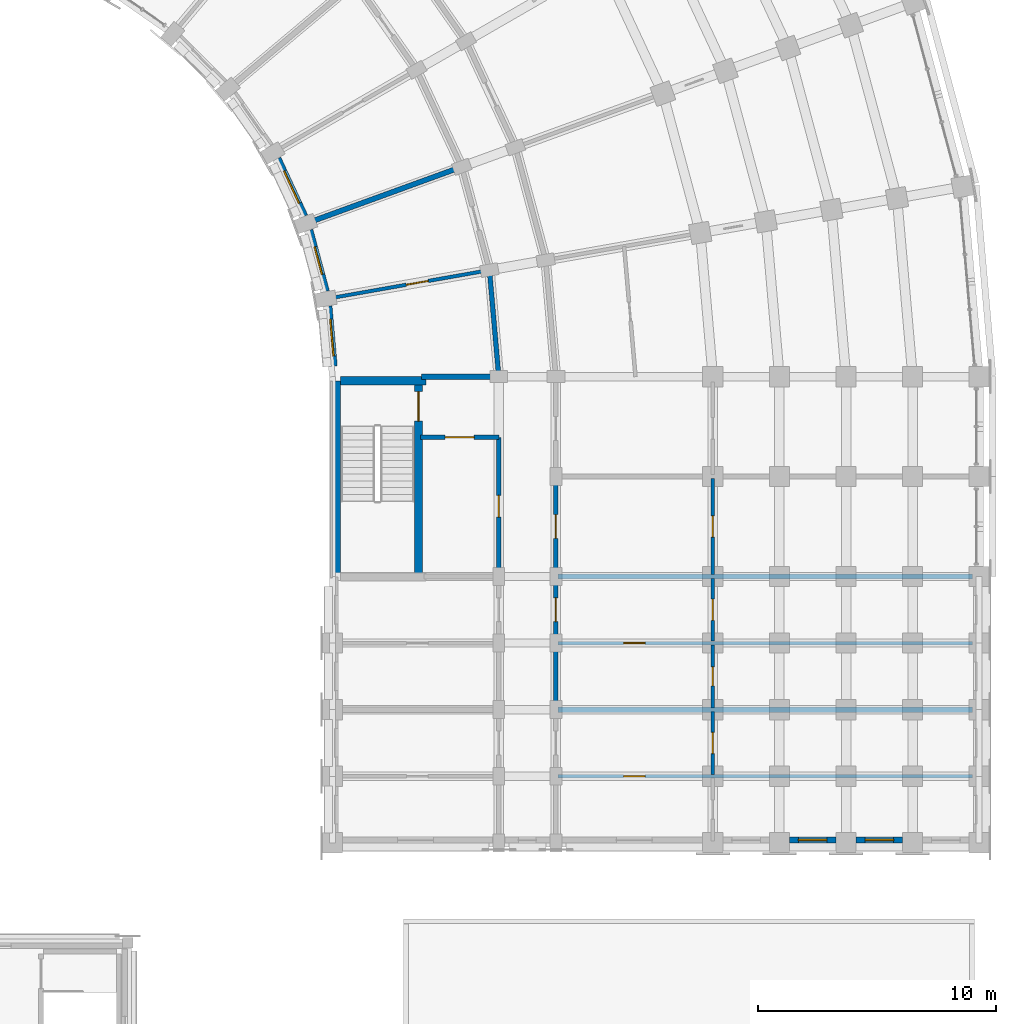
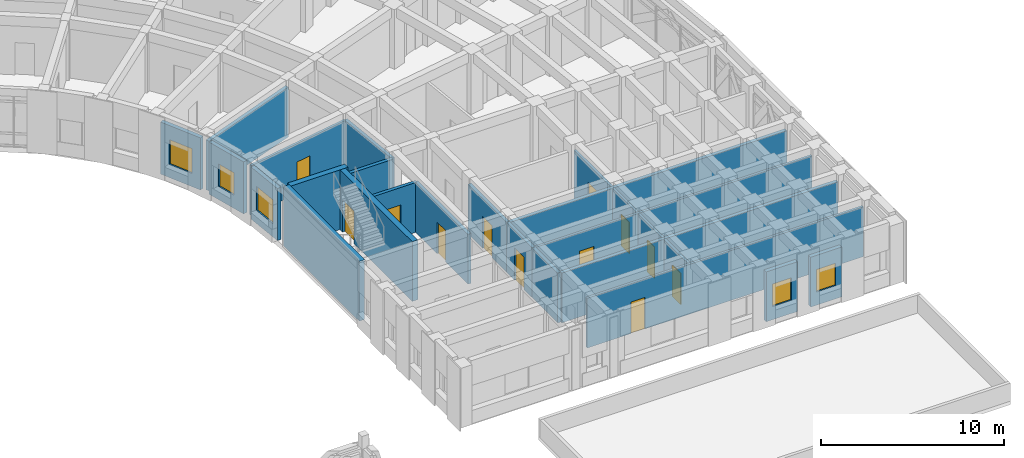
# One storey, part 76 of 97: 25 walls, 12 doors, 5 windows, 17 openings.
"""IFC4 building model written with IfcOpenShell, lengths in metres."""

import ifcopenshell
import ifcopenshell.guid

model = None  # the IFC model being written
_history = None  # IfcOwnerHistory: only IFC2X3 demands one
_inside = {}  # id of a spatial element -> (the spatial element, [elements in it])
_under = {}  # id of a project, library or spatial element -> (it, [spatial elements below it])
_declared = {}  # id of a project -> (the project, [libraries it declares])
_typed = {}  # id of a type object -> (the type object, [elements of that type])
_made_of = {}  # id of a material, layer set ... -> (it, [elements and type objects made of it])


def new_model(schema):
    """Start an empty IFC model of exactly this schema.

    Asked for "IFC4X3", IfcOpenShell would pick the latest addendum, in which some entities
    have other attributes; the version numbers below select the first issue.
    IFC2X3 requires an IfcOwnerHistory on every rooted entity: one is made here for all.
    """
    global model, _history
    if schema == "IFC4X3":
        model = ifcopenshell.file(schema_version=(4, 3, 0, 0))
    else:
        model = ifcopenshell.file(schema=schema)
    _inside.clear()
    _under.clear()
    _declared.clear()
    _typed.clear()
    _made_of.clear()
    _history = None
    if model.schema == "IFC2X3":
        org = make("IfcOrganization", Name="unknown")
        user = make(
            "IfcPersonAndOrganization",
            ThePerson=make("IfcPerson", FamilyName="unknown"),
            TheOrganization=org,
        )
        app = make(
            "IfcApplication",
            ApplicationDeveloper=org,
            Version="unknown",
            ApplicationFullName="unknown",
            ApplicationIdentifier="unknown",
        )
        _history = make(
            "IfcOwnerHistory",
            OwningUser=user,
            OwningApplication=app,
            ChangeAction="ADDED",
            CreationDate=0,
        )
    return model


def make(cls, **values):
    """One entity of the class cls with the attributes given. An attribute that is None is left unset."""
    return model.create_entity(
        cls, **{name: value for name, value in values.items() if value is not None}
    )


def rooted(cls, **values):
    """An entity with a GlobalId (a new one), such as an element, a storey or a relation."""
    return make(cls, GlobalId=ifcopenshell.guid.new(), OwnerHistory=_history, **values)


def si_unit(unit_type, name, prefix=None):
    """IfcSIUnit, for example si_unit("LENGTHUNIT", "METRE", prefix="MILLI")."""
    return make("IfcSIUnit", UnitType=unit_type, Prefix=prefix, Name=name)


def assignment(units):
    """IfcUnitAssignment: the units of a project."""
    return None if units is None else make("IfcUnitAssignment", Units=units)


def point(xyz):
    """IfcCartesianPoint."""
    return None if xyz is None else make("IfcCartesianPoint", Coordinates=xyz)


def direction(xyz):
    """IfcDirection."""
    return None if xyz is None else make("IfcDirection", DirectionRatios=xyz)


def frame(location, z_axis=None, x_axis=None):
    """IfcAxis2Placement3D, a coordinate frame: its origin and axes. An axis left out is left unset."""
    return make(
        "IfcAxis2Placement3D",
        Location=point(location),
        Axis=direction(z_axis),
        RefDirection=direction(x_axis),
    )


def frame_2d(location, x_axis=None):
    """IfcAxis2Placement2D, a coordinate frame in the plane: its origin and x axis."""
    return make(
        "IfcAxis2Placement2D", Location=point(location), RefDirection=direction(x_axis)
    )


def origin():
    """The frame at (0, 0, 0) with its axes left unset."""
    return frame((0.0, 0.0, 0.0))


def place(relative_to, where):
    """IfcLocalPlacement: puts the frame where relative to a parent placement (None: the world)."""
    return make(
        "IfcLocalPlacement", PlacementRelTo=relative_to, RelativePlacement=where
    )


def context(
    kind, dimensions, precision=None, world=None, true_north=None, identifier=None
):
    """IfcGeometricRepresentationContext, for example the 3D "Model" context."""
    return make(
        "IfcGeometricRepresentationContext",
        ContextIdentifier=identifier,
        ContextType=kind,
        CoordinateSpaceDimension=dimensions,
        Precision=precision,
        WorldCoordinateSystem=world,
        TrueNorth=true_north,
    )


def subcontext(parent, identifier, kind, view, scale=None):
    """IfcGeometricRepresentationSubContext, for example "Body" below "Model"."""
    return make(
        "IfcGeometricRepresentationSubContext",
        ContextIdentifier=identifier,
        ContextType=kind,
        ParentContext=parent,
        TargetScale=scale,
        TargetView=view,
    )


def project(units=None, contexts=None):
    """IfcProject with its units and contexts."""
    return rooted(
        "IfcProject",
        Name="project",
        RepresentationContexts=contexts,
        UnitsInContext=assignment(units),
    )


def spatial(cls, under=None, at=None, **own):
    """A site, building, storey or space (cls), placed at a placement, below another one or the project."""
    s = rooted(cls, ObjectPlacement=at, **own)
    if under is not None:
        _under.setdefault(under.id(), (under, []))[1].append(s)
    return s


def profile(cls, at=None, kind="AREA", **sizes):
    """A parametric profile (cls). Its sizes go by their IFC names, for example OverallWidth=200.0."""
    return make(cls, ProfileType=kind, Position=at, **sizes)


def rectangle(**sizes):
    """IfcRectangleProfileDef."""
    return profile("IfcRectangleProfileDef", **sizes)


def extrude(swept, where, along, depth):
    """IfcExtrudedAreaSolid: the profile swept, set in the frame where, extruded along a direction by depth."""
    return make(
        "IfcExtrudedAreaSolid",
        SweptArea=swept,
        Position=where,
        ExtrudedDirection=direction(along),
        Depth=depth,
    )


def shape(context_of_items, identifier, shape_type, items):
    """IfcShapeRepresentation: the items that make up one representation, for example the "Body"."""
    return make(
        "IfcShapeRepresentation",
        ContextOfItems=context_of_items,
        RepresentationIdentifier=identifier,
        RepresentationType=shape_type,
        Items=items,
    )


def material(Name=None, Category=None):
    """IfcMaterial."""
    return make("IfcMaterial", Name=Name, Category=Category)


def layer(
    of_material, thickness, ventilated=None, Name=None, Category=None, Priority=None
):
    """IfcMaterialLayer: one layer of a wall or slab, of a material (None: an air gap)."""
    return make(
        "IfcMaterialLayer",
        Material=of_material,
        LayerThickness=thickness,
        IsVentilated=ventilated,
        Name=Name,
        Category=Category,
        Priority=Priority,
    )


def layer_set(layers, Name=None):
    """IfcMaterialLayerSet."""
    return make("IfcMaterialLayerSet", MaterialLayers=layers, LayerSetName=Name)


def made_of(thing, what):
    """Note that an element or type object is made of a material, layer set ...; save() writes the relation."""
    if what is not None:
        _made_of.setdefault(what.id(), (what, []))[1].append(thing)
    return thing


def type_object(cls, material=None, **own):
    """A type object (cls), such as IfcWallType, which elements share."""
    return made_of(rooted(cls, **own), material)


def element(
    cls,
    number,
    at=None,
    inside=None,
    cuts=None,
    type_object=None,
    material=None,
    context=None,
    identifier="Body",
    shape_type=None,
    held_by="IfcProductDefinitionShape",
    body=None,
    shapes=None,
    **own,
):
    """One element of the class cls, such as IfcWall. Its Tag is "e" and its number.

    at: its placement. inside: the storey or other place that contains it. cuts: it is an
    opening in that element (IfcRelVoidsElement). A single representation is given by context,
    identifier, shape_type and body (its items); several are given by shapes. held_by: the class
    of the entity that holds the representations. save() writes the other relations.
    """
    e = rooted(cls, Tag="e%d" % number, ObjectPlacement=at, **own)
    if body is not None:
        shapes = [shape(context, identifier, shape_type, body)]
    if shapes is not None:
        e.Representation = make(held_by, Representations=shapes)
    if inside is not None:
        _inside.setdefault(inside.id(), (inside, []))[1].append(e)
    if cuts is not None:
        rooted(
            "IfcRelVoidsElement", RelatingBuildingElement=cuts, RelatedOpeningElement=e
        )
    if type_object is not None:
        _typed.setdefault(type_object.id(), (type_object, []))[1].append(e)
    return made_of(e, material)


def fill(opening, filler):
    """IfcRelFillsElement: the door or window that sits in an opening."""
    return rooted(
        "IfcRelFillsElement",
        RelatingOpeningElement=opening,
        RelatedBuildingElement=filler,
    )


def aggregate(whole, parts):
    """IfcRelAggregates: a whole, such as a stair, and the parts it consists of."""
    return rooted("IfcRelAggregates", RelatingObject=whole, RelatedObjects=parts)


def save(model, path):
    """Write the relations noted so far, then the file.

    IfcRelAggregates (storeys below a building ...), IfcRelContainedInSpatialStructure (elements
    in a storey), IfcRelDefinesByType, IfcRelAssociatesMaterial and IfcRelDeclares: one each for
    every whole, place, type object, material and project.
    """
    for whole, parts in _under.values():
        aggregate(whole, parts)
    for where, things in _inside.values():
        rooted(
            "IfcRelContainedInSpatialStructure",
            RelatedElements=things,
            RelatingStructure=where,
        )
    for kind, things in _typed.values():
        rooted("IfcRelDefinesByType", RelatedObjects=things, RelatingType=kind)
    for what, things in _made_of.values():
        rooted("IfcRelAssociatesMaterial", RelatedObjects=things, RelatingMaterial=what)
    for by, libraries in _declared.values():
        rooted("IfcRelDeclares", RelatingContext=by, RelatedDefinitions=libraries)
    model.write(path)


model = new_model("IFC4")

# Units and contexts
model_context = context("Model", 3, precision=1e-05, world=origin(), true_north=direction((0.0, 1.0)))
body_context = subcontext(model_context, "Body", "Model", "MODEL_VIEW")
ifc_project = project(units=[si_unit("LENGTHUNIT", "METRE"), si_unit("AREAUNIT", "SQUARE_METRE"), si_unit("VOLUMEUNIT", "CUBIC_METRE"), si_unit("PLANEANGLEUNIT", "RADIAN"), si_unit("MASSUNIT", "GRAM", prefix="KILO")], contexts=[model_context])

# Site, building, storey
site_placement = place(None, origin())
site = spatial("IfcSite", under=ifc_project, at=site_placement, CompositionType="ELEMENT")
building_placement = place(site_placement, origin())
building = spatial("IfcBuilding", under=site, at=building_placement, Name="Kiranvali Square Residences", CompositionType="ELEMENT")
storey_placement = place(building_placement, frame((0.0, 0.0, 4.5)))
storey = spatial("IfcBuildingStorey", under=building, at=storey_placement, Name="L01", CompositionType="ELEMENT", Elevation=4.5)

# Wall, opening, door
ifc_material_1 = material(Name="Autoclaved aerated concrete blockwork masonry", Category="masonry")
ifc_layer_1 = layer(ifc_material_1, 0.199951171875)
ifc_layer_set_1 = layer_set([ifc_layer_1], Name="Autoclaved aerated concrete blockwork masonry")
wall_type_1 = type_object("IfcWallType", Name="WL-COR-200", PredefinedType="STANDARD", material=ifc_layer_set_1)
wall_1_placement = place(storey_placement, frame((142.300048828125, 85.25, 0.0), z_axis=(0.0, 0.0, 1.0), x_axis=(1.0, 0.0, 0.0)))
wall_1 = element("IfcWall", 1, at=wall_1_placement, inside=storey, type_object=wall_type_1, Name="L01 architectural wall WL-L01-B-S3-V", PredefinedType="STANDARD", context=body_context, shape_type="SweptSolid", body=[
    extrude(rectangle(XDim=3.300048828125, YDim=0.199951171875, at=frame_2d((1.64990234375, 0.0))), origin(), (0.0, 0.0, 1.0), 3.322021484375),
])
opening_1_placement = place(wall_1_placement, frame((1.0400390625, 0.0, 0.0)))
opening_1 = element("IfcOpeningElement", 2, at=opening_1_placement, cuts=wall_1, Name="Opening FD-COR-60", PredefinedType="OPENING", context=body_context, shape_type="SweptSolid", body=[
    extrude(rectangle(XDim=1.219970703125, YDim=2.14990234375, at=frame_2d((0.60986328125, 1.074951171875))), frame((0.0, 0.10986328125, 0.0), z_axis=(0.0, -1.0, 0.0), x_axis=(1.0, 0.0, 0.0)), (0.0, 0.0, 1.0), 0.219970703125),
])
ifc_material_2 = material(Name="Fire-rated acoustic hardwood and mineral-core door assembly", Category="wood")
door_type_1 = type_object("IfcDoorType", Name="DR-FD60-1200", OperationType="NOTDEFINED", PredefinedType="DOOR", material=ifc_material_2)
door_1_placement = place(opening_1_placement, origin())
door_1 = element("IfcDoor", 3, at=door_1_placement, inside=storey, type_object=door_type_1, Name="L01 door DR-L01-1007 (DR-FD60-1200)", OperationType="SINGLE_SWING_LEFT", OverallHeight=2.14990234375, OverallWidth=1.219970703125, PredefinedType="DOOR", context=body_context, shape_type="SweptSolid", body=[
    extrude(rectangle(XDim=1.219970703125, YDim=2.14990234375, at=frame_2d((0.60986328125, 1.074951171875))), frame((0.0, 0.02490234375, 0.0), z_axis=(0.0, -1.0, 0.0), x_axis=(1.0, 0.0, 0.0)), (0.0, 0.0, 1.0), 0.050048828125),
])
fill(opening_1, door_1)

wall_2_placement = place(storey_placement, frame((145.60009765625, 85.25, 0.0), z_axis=(0.0, 0.0, 1.0), x_axis=(0.0, -1.0, 0.0)))
wall_2 = element("IfcWall", 4, at=wall_2_placement, inside=storey, type_object=wall_type_1, Name="L01 architectural wall WL-L01-B-S3-COR", PredefinedType="STANDARD", context=body_context, shape_type="SweptSolid", body=[
    extrude(rectangle(XDim=5.800048828125, YDim=0.199951171875, at=frame_2d((2.89990234375, 0.0))), origin(), (0.0, 0.0, 1.0), 3.322021484375),
])
opening_2_placement = place(wall_2_placement, frame((2.43994140625, 0.0, 0.0)))
opening_2 = element("IfcOpeningElement", 5, at=opening_2_placement, cuts=wall_2, Name="Opening FD-SVC-120", PredefinedType="OPENING", context=body_context, shape_type="SweptSolid", body=[
    extrude(rectangle(XDim=0.919921875, YDim=2.10009765625, at=frame_2d((0.4599609375, 1.050048828125))), frame((0.0, 0.10986328125, 0.0), z_axis=(0.0, -1.0, 0.0), x_axis=(1.0, 0.0, 0.0)), (0.0, 0.0, 1.0), 0.219970703125),
])
door_type_2 = type_object("IfcDoorType", Name="DR-SVC-900", OperationType="NOTDEFINED", PredefinedType="DOOR", material=ifc_material_2)
door_2_placement = place(opening_2_placement, frame((0.919921875, 0.0, 0.0), z_axis=(0.0, 0.0, 1.0), x_axis=(-1.0, 0.0, 0.0)))
door_2 = element("IfcDoor", 6, at=door_2_placement, inside=storey, type_object=door_type_2, Name="L01 door DR-L01-1008 (DR-SVC-900)", OperationType="SINGLE_SWING_RIGHT", OverallHeight=2.10009765625, OverallWidth=0.919921875, PredefinedType="DOOR", context=body_context, shape_type="SweptSolid", body=[
    extrude(rectangle(XDim=0.919921875, YDim=2.10009765625, at=frame_2d((0.4599609375, 1.050048828125))), frame((0.0, 0.02490234375, 0.0), z_axis=(0.0, -1.0, 0.0), x_axis=(1.0, 0.0, 0.0)), (0.0, 0.0, 1.0), 0.050048828125),
])
fill(opening_2, door_2)

# Wall
wall_3_placement = place(storey_placement, frame((145.2080078125, 92.280029296875, 0.0), z_axis=(0.0, 0.0, 1.0), x_axis=(0.087187153726, -0.996191949488, 0.0)))
element("IfcWall", 7, at=wall_3_placement, inside=storey, type_object=wall_type_1, Name="L01 architectural wall WL-L01-B-CCI-8", PredefinedType="STANDARD", context=body_context, shape_type="SweptSolid", body=[
    extrude(rectangle(XDim=4.4970703125, YDim=0.199951171875, at=frame_2d((2.24853515625, 0.0))), origin(), (0.0, 0.0, 1.0), 3.322021484375),
])

# Wall, opening, door
wall_4_placement = place(storey_placement, frame((148.0, 83.60009765625, 0.0), z_axis=(0.0, 0.0, 1.0), x_axis=(0.0, -1.0, 0.0)))
wall_4 = element("IfcWall", 8, at=wall_4_placement, inside=storey, type_object=wall_type_1, Name="L01 architectural wall WL-L01-B-A2CF-C1", PredefinedType="STANDARD", context=body_context, shape_type="SweptSolid", body=[
    extrude(rectangle(XDim=4.2001953125, YDim=0.199951171875, at=frame_2d((2.10009765625, 0.0))), origin(), (0.0, 0.0, 1.0), 3.322021484375),
])
opening_3_placement = place(wall_4_placement, frame((1.60009765625, 0.0, 0.0)))
opening_3 = element("IfcOpeningElement", 9, at=opening_3_placement, cuts=wall_4, Name="Opening FD-APT-60", PredefinedType="OPENING", context=body_context, shape_type="SweptSolid", body=[
    extrude(rectangle(XDim=1.0, YDim=2.14990234375, at=frame_2d((0.5, 1.074951171875))), frame((0.0, 0.10986328125, 0.0), z_axis=(0.0, -1.0, 0.0), x_axis=(1.0, 0.0, 0.0)), (0.0, 0.0, 1.0), 0.219970703125),
])
door_type_3 = type_object("IfcDoorType", Name="DR-APT-1000", OperationType="NOTDEFINED", PredefinedType="DOOR", material=ifc_material_2)
door_3_placement = place(opening_3_placement, origin())
door_3 = element("IfcDoor", 10, at=door_3_placement, inside=storey, type_object=door_type_3, Name="L01 door DR-L01-1049 (DR-APT-1000)", OperationType="SINGLE_SWING_LEFT", OverallHeight=2.14990234375, OverallWidth=1.0, PredefinedType="DOOR", context=body_context, shape_type="SweptSolid", body=[
    extrude(rectangle(XDim=1.0, YDim=2.14990234375, at=frame_2d((0.5, 1.074951171875))), frame((0.0, 0.02490234375, 0.0), z_axis=(0.0, -1.0, 0.0), x_axis=(1.0, 0.0, 0.0)), (0.0, 0.0, 1.0), 0.050048828125),
])
fill(opening_3, door_3)

wall_5_placement = place(storey_placement, frame((148.0, 79.39990234375, 0.0), z_axis=(0.0, 0.0, 1.0), x_axis=(0.0, -1.0, 0.0)))
wall_5 = element("IfcWall", 11, at=wall_5_placement, inside=storey, type_object=wall_type_1, Name="L01 architectural wall WL-L01-B-A2CO-0", PredefinedType="STANDARD", context=body_context, shape_type="SweptSolid", body=[
    extrude(rectangle(XDim=2.7998046875, YDim=0.199951171875, at=frame_2d((1.39990234375, 0.0))), origin(), (0.0, 0.0, 1.0), 3.322021484375),
])
opening_4_placement = place(wall_5_placement, frame((0.89990234375, 0.0, 0.0)))
opening_4 = element("IfcOpeningElement", 12, at=opening_4_placement, cuts=wall_5, Name="Opening FD-APT-60", PredefinedType="OPENING", context=body_context, shape_type="SweptSolid", body=[
    extrude(rectangle(XDim=1.0, YDim=2.14990234375, at=frame_2d((0.5, 1.074951171875))), frame((0.0, 0.10986328125, 0.0), z_axis=(0.0, -1.0, 0.0), x_axis=(1.0, 0.0, 0.0)), (0.0, 0.0, 1.0), 0.219970703125),
])
door_4_placement = place(opening_4_placement, origin())
door_4 = element("IfcDoor", 13, at=door_4_placement, inside=storey, type_object=door_type_3, Name="L01 door DR-L01-1053 (DR-APT-1000)", OperationType="SINGLE_SWING_LEFT", OverallHeight=2.14990234375, OverallWidth=1.0, PredefinedType="DOOR", context=body_context, shape_type="SweptSolid", body=[
    extrude(rectangle(XDim=1.0, YDim=2.14990234375, at=frame_2d((0.5, 1.074951171875))), frame((0.0, 0.02490234375, 0.0), z_axis=(0.0, -1.0, 0.0), x_axis=(1.0, 0.0, 0.0)), (0.0, 0.0, 1.0), 0.050048828125),
])
fill(opening_4, door_4)

# Walls
wall_6_placement = place(storey_placement, frame((148.0, 76.60009765625, 0.0), z_axis=(0.0, 0.0, 1.0), x_axis=(0.0, -1.0, 0.0)))
element("IfcWall", 14, at=wall_6_placement, inside=storey, type_object=wall_type_1, Name="L01 architectural wall WL-L01-B-A2CO-1", PredefinedType="STANDARD", context=body_context, shape_type="SweptSolid", body=[
    extrude(rectangle(XDim=2.800048828125, YDim=0.199951171875, at=frame_2d((1.39990234375, 0.0))), origin(), (0.0, 0.0, 1.0), 3.322021484375),
])
ifc_layer_2 = layer(ifc_material_1, 0.219970703125)
ifc_layer_set_2 = layer_set([ifc_layer_2], Name="Autoclaved aerated concrete blockwork masonry")
wall_type_2 = type_object("IfcWallType", Name="WL-DEM-220", PredefinedType="STANDARD", material=ifc_layer_set_2)
wall_7_placement = place(storey_placement, frame((137.654052734375, 94.29833984375, 0.0), z_axis=(0.0, 0.0, 1.0), x_axis=(0.939696231917, 0.342010221662, 0.0)))
element("IfcWall", 15, at=wall_7_placement, inside=storey, type_object=wall_type_2, Name="L01 architectural wall WL-L01-B-RADI-7", PredefinedType="STANDARD", context=body_context, shape_type="SweptSolid", body=[
    extrude(rectangle(XDim=6.75, YDim=0.219970703125, at=frame_2d((3.375, 0.0))), origin(), (0.0, 0.0, 1.0), 3.322021484375),
])
wall_8_placement = place(storey_placement, frame((142.35009765625, 87.800048828125, 0.0), z_axis=(0.0, 0.0, 1.0), x_axis=(1.0, 0.0, 0.0)))
element("IfcWall", 16, at=wall_8_placement, inside=storey, type_object=wall_type_2, Name="L01 architectural wall WL-L01-B-RADI-9", PredefinedType="STANDARD", context=body_context, shape_type="SweptSolid", body=[
    extrude(rectangle(XDim=3.199951171875, YDim=0.219970703125, at=frame_2d((1.60009765625, 0.0))), origin(), (0.0, 0.0, 1.0), 3.322021484375),
])
for number, where, z_axis, x_axis, name in (
    (17, (148.10009765625, 79.39990234375, 0.0), (0.0, 0.0, 1.0), (1.0, 0.0, 0.0), "L01 architectural wall WL-L01-B-A2TO-0"),
    (18, (148.10009765625, 73.800048828125, 0.0), (0.0, 0.0, 1.0), (1.0, 0.0, 0.0), "L01 architectural wall WL-L01-B-A2TO-2"),
):
    element("IfcWall", number, at=place(storey_placement, frame(where, z_axis=z_axis, x_axis=x_axis)), inside=storey, type_object=wall_type_2, Name=name, PredefinedType="STANDARD", context=body_context, shape_type="SweptSolid", body=[
        extrude(rectangle(XDim=17.419921875, YDim=0.219970703125, at=frame_2d((8.7099609375, 0.0))), origin(), (0.0, 0.0, 1.0), 3.322021484375),
    ])

# Wall, opening, window
ifc_material_3 = material(Name="Breathable lime-rendered clay brick masonry", Category="masonry")
ifc_layer_3 = layer(ifc_material_3, 0.25)
ifc_layer_set_3 = layer_set([ifc_layer_3], Name="Breathable lime-rendered clay brick masonry")
wall_type_3 = type_object("IfcWallType", Name="WL-EXT-250", PredefinedType="STANDARD", material=ifc_layer_set_3)
wall_9_placement = place(storey_placement, frame((136.322998046875, 96.9775390625, 0.0), z_axis=(0.0, 0.0, 1.0), x_axis=(0.422610081738, -0.90631160139, 0.0)))
wall_9 = element("IfcWall", 19, at=wall_9_placement, inside=storey, type_object=wall_type_3, Name="L01 exterior wall B-L01-GDN-06", PredefinedType="STANDARD", context=body_context, shape_type="SweptSolid", body=[
    extrude(rectangle(XDim=2.66943359375, YDim=0.25, at=frame_2d((1.334716796875, 0.0))), origin(), (0.0, 0.0, 1.0), 3.471923828125),
])
opening_5_placement = place(wall_9_placement, frame((0.584716796875, 0.0, 0.8798828125)))
opening_5 = element("IfcOpeningElement", 20, at=opening_5_placement, cuts=wall_9, Name="Opening W-05", PredefinedType="OPENING", context=body_context, shape_type="SweptSolid", body=[
    extrude(rectangle(XDim=1.5, YDim=1.64990234375, at=frame_2d((0.75, 0.824951171875))), frame((0.0, 0.135009765625, 0.0), z_axis=(0.0, -1.0, 0.0), x_axis=(1.0, 0.0, 0.0)), (0.0, 0.0, 1.0), 0.27001953125),
])
ifc_material_4 = material(Name="Solar-control low-e double glazing", Category="glass")
window_type_1 = type_object("IfcWindowType", Name="WIN-RES-1500x1650", PartitioningType="DOUBLE_PANEL_VERTICAL", PredefinedType="WINDOW", material=ifc_material_4)
window_1_placement = place(opening_5_placement, origin())
window_1 = element("IfcWindow", 21, at=window_1_placement, inside=storey, type_object=window_type_1, Name="L01 recessed window B-L01-GDN-06", OverallHeight=1.64990234375, OverallWidth=1.5, PartitioningType="DOUBLE_PANEL_VERTICAL", PredefinedType="WINDOW", context=body_context, shape_type="SweptSolid", body=[
    extrude(rectangle(XDim=1.5, YDim=1.64990234375, at=frame_2d((0.75, 0.824951171875))), frame((0.0, 0.030029296875, 0.0), z_axis=(0.0, -1.0, 0.0), x_axis=(1.0, 0.0, 0.0)), (0.0, 0.0, 1.0), 0.06005859375),
])
fill(opening_5, window_1)

wall_10_placement = place(storey_placement, frame((137.66552734375, 93.968994140625, 0.0), z_axis=(0.0, 0.0, 1.0), x_axis=(0.258812272661, -0.965927640934, 0.0)))
wall_10 = element("IfcWall", 22, at=wall_10_placement, inside=storey, type_object=wall_type_3, Name="L01 exterior wall B-L01-GDN-07", PredefinedType="STANDARD", context=body_context, shape_type="SweptSolid", body=[
    extrude(rectangle(XDim=2.669677734375, YDim=0.25, at=frame_2d((1.3349609375, 0.0))), origin(), (0.0, 0.0, 1.0), 3.471923828125),
])
opening_6_placement = place(wall_10_placement, frame((0.73486328125, 0.0, 0.8798828125)))
opening_6 = element("IfcOpeningElement", 23, at=opening_6_placement, cuts=wall_10, Name="Opening W-06", PredefinedType="OPENING", context=body_context, shape_type="SweptSolid", body=[
    extrude(rectangle(XDim=1.199951171875, YDim=1.5, at=frame_2d((0.60009765625, 0.75))), frame((0.0, 0.135009765625, 0.0), z_axis=(0.0, -1.0, 0.0), x_axis=(1.0, 0.0, 0.0)), (0.0, 0.0, 1.0), 0.27001953125),
])
window_type_2 = type_object("IfcWindowType", Name="WIN-RES-1200x1500", PartitioningType="SINGLE_PANEL", PredefinedType="WINDOW", material=ifc_material_4)
window_2_placement = place(opening_6_placement, origin())
window_2 = element("IfcWindow", 24, at=window_2_placement, inside=storey, type_object=window_type_2, Name="L01 recessed window B-L01-GDN-07", OverallHeight=1.5, OverallWidth=1.199951171875, PartitioningType="SINGLE_PANEL", PredefinedType="WINDOW", context=body_context, shape_type="SweptSolid", body=[
    extrude(rectangle(XDim=1.199951171875, YDim=1.5, at=frame_2d((0.60009765625, 0.75))), frame((0.0, 0.030029296875, 0.0), z_axis=(0.0, -1.0, 0.0), x_axis=(1.0, 0.0, 0.0)), (0.0, 0.0, 1.0), 0.06005859375),
])
fill(opening_6, window_2)

wall_11_placement = place(storey_placement, frame((138.46533203125, 90.77294921875, 0.0), z_axis=(0.0, 0.0, 1.0), x_axis=(0.087215965161, -0.996189427479, 0.0)))
wall_11 = element("IfcWall", 25, at=wall_11_placement, inside=storey, type_object=wall_type_3, Name="L01 exterior wall B-L01-GDN-08", PredefinedType="STANDARD", context=body_context, shape_type="SweptSolid", body=[
    extrude(rectangle(XDim=2.533447265625, YDim=0.25, at=frame_2d((1.2666015625, 0.0))), origin(), (0.0, 0.0, 1.0), 3.471923828125),
])
opening_7_placement = place(wall_11_placement, frame((0.559814453125, 0.0, 0.8798828125)))
opening_7 = element("IfcOpeningElement", 26, at=opening_7_placement, cuts=wall_11, Name="Opening W-18", PredefinedType="OPENING", context=body_context, shape_type="SweptSolid", body=[
    extrude(rectangle(XDim=1.550048828125, YDim=1.60009765625, at=frame_2d((0.77490234375, 0.800048828125))), frame((0.0, 0.135009765625, 0.0), z_axis=(0.0, -1.0, 0.0), x_axis=(1.0, 0.0, 0.0)), (0.0, 0.0, 1.0), 0.27001953125),
])
window_type_3 = type_object("IfcWindowType", Name="WIN-GDN-1550x1600", PartitioningType="DOUBLE_PANEL_VERTICAL", PredefinedType="WINDOW", material=ifc_material_4)
window_3_placement = place(opening_7_placement, origin())
window_3 = element("IfcWindow", 27, at=window_3_placement, inside=storey, type_object=window_type_3, Name="L01 recessed window B-L01-GDN-08", OverallHeight=1.60009765625, OverallWidth=1.550048828125, PartitioningType="DOUBLE_PANEL_VERTICAL", PredefinedType="WINDOW", context=body_context, shape_type="SweptSolid", body=[
    extrude(rectangle(XDim=1.550048828125, YDim=1.60009765625, at=frame_2d((0.77490234375, 0.800048828125))), frame((0.0, 0.030029296875, 0.0), z_axis=(0.0, -1.0, 0.0), x_axis=(1.0, 0.0, 0.0)), (0.0, 0.0, 1.0), 0.06005859375),
])
fill(opening_7, window_3)

wall_12_placement = place(storey_placement, frame((157.820068359375, 68.324951171875, 0.0), z_axis=(0.0, 0.0, 1.0), x_axis=(1.0, 0.0, 0.0)))
wall_12 = element("IfcWall", 28, at=wall_12_placement, inside=storey, type_object=wall_type_3, Name="L01 exterior wall B-L01-A2END-4", PredefinedType="STANDARD", context=body_context, shape_type="SweptSolid", body=[
    extrude(rectangle(XDim=1.9599609375, YDim=0.25, at=frame_2d((0.97998046875, 0.0))), origin(), (0.0, 0.0, 1.0), 3.322021484375),
])
opening_8_placement = place(wall_12_placement, frame((0.3798828125, 0.0, 0.8798828125)))
opening_8 = element("IfcOpeningElement", 29, at=opening_8_placement, cuts=wall_12, Name="Opening W-06", PredefinedType="OPENING", context=body_context, shape_type="SweptSolid", body=[
    extrude(rectangle(XDim=1.199951171875, YDim=1.5, at=frame_2d((0.60009765625, 0.75))), frame((0.0, 0.135009765625, 0.0), z_axis=(0.0, -1.0, 0.0), x_axis=(1.0, 0.0, 0.0)), (0.0, 0.0, 1.0), 0.27001953125),
])
window_4_placement = place(opening_8_placement, origin())
window_4 = element("IfcWindow", 30, at=window_4_placement, inside=storey, type_object=window_type_2, Name="L01 recessed window B-L01-A2END-4", OverallHeight=1.5, OverallWidth=1.199951171875, PartitioningType="SINGLE_PANEL", PredefinedType="WINDOW", context=body_context, shape_type="SweptSolid", body=[
    extrude(rectangle(XDim=1.199951171875, YDim=1.5, at=frame_2d((0.60009765625, 0.75))), frame((0.0, 0.030029296875, 0.0), z_axis=(0.0, -1.0, 0.0), x_axis=(1.0, 0.0, 0.0)), (0.0, 0.0, 1.0), 0.06005859375),
])
fill(opening_8, window_4)

wall_13_placement = place(storey_placement, frame((160.6201171875, 68.324951171875, 0.0), z_axis=(0.0, 0.0, 1.0), x_axis=(1.0, 0.0, 0.0)))
wall_13 = element("IfcWall", 31, at=wall_13_placement, inside=storey, type_object=wall_type_3, Name="L01 exterior wall B-L01-A2END-5", PredefinedType="STANDARD", context=body_context, shape_type="SweptSolid", body=[
    extrude(rectangle(XDim=1.9599609375, YDim=0.25, at=frame_2d((0.97998046875, 0.0))), origin(), (0.0, 0.0, 1.0), 3.322021484375),
])
opening_9_placement = place(wall_13_placement, frame((0.3798828125, 0.0, 0.8798828125)))
opening_9 = element("IfcOpeningElement", 32, at=opening_9_placement, cuts=wall_13, Name="Opening W-06", PredefinedType="OPENING", context=body_context, shape_type="SweptSolid", body=[
    extrude(rectangle(XDim=1.199951171875, YDim=1.5, at=frame_2d((0.60009765625, 0.75))), frame((0.0, 0.135009765625, 0.0), z_axis=(0.0, -1.0, 0.0), x_axis=(1.0, 0.0, 0.0)), (0.0, 0.0, 1.0), 0.27001953125),
])
window_5_placement = place(opening_9_placement, origin())
window_5 = element("IfcWindow", 33, at=window_5_placement, inside=storey, type_object=window_type_2, Name="L01 recessed window B-L01-A2END-5", OverallHeight=1.5, OverallWidth=1.199951171875, PartitioningType="SINGLE_PANEL", PredefinedType="WINDOW", context=body_context, shape_type="SweptSolid", body=[
    extrude(rectangle(XDim=1.199951171875, YDim=1.5, at=frame_2d((0.60009765625, 0.75))), frame((0.0, 0.030029296875, 0.0), z_axis=(0.0, -1.0, 0.0), x_axis=(1.0, 0.0, 0.0)), (0.0, 0.0, 1.0), 0.06005859375),
])
fill(opening_9, window_5)

# Wall, opening, door
ifc_material_5 = material(Name="Acoustic gypsum board drylined partition", Category="gypsum")
ifc_layer_4 = layer(ifc_material_5, 0.14990234375)
ifc_layer_set_4 = layer_set([ifc_layer_4], Name="Acoustic gypsum board drylined partition")
wall_type_4 = type_object("IfcWallType", Name="WL-PRT-150", PredefinedType="PARTITIONING", material=ifc_layer_set_4)
wall_14_placement = place(storey_placement, frame((138.51123046875, 91.099365234375, 0.0), z_axis=(0.0, 0.0, 1.0), x_axis=(0.984807944945, 0.173647089161, 0.0)))
wall_14 = element("IfcWall", 34, at=wall_14_placement, inside=storey, type_object=wall_type_4, Name="L01 architectural wall WL-L01-B-RADI-8", PredefinedType="PARTITIONING", context=body_context, shape_type="SweptSolid", body=[
    extrude(rectangle(XDim=6.75, YDim=0.14990234375, at=frame_2d((3.375, 0.0))), origin(), (0.0, 0.0, 1.0), 3.322021484375),
])
opening_10_placement = place(wall_14_placement, frame((3.242431640625, 0.0, 0.0)))
opening_10 = element("IfcOpeningElement", 35, at=opening_10_placement, cuts=wall_14, Name="Opening ID-2", PredefinedType="OPENING", context=body_context, shape_type="SweptSolid", body=[
    extrude(rectangle(XDim=0.93994140625, YDim=2.10009765625, at=frame_2d((0.469970703125, 1.050048828125))), frame((0.0, 0.0849609375, 0.0), z_axis=(0.0, -1.0, 0.0), x_axis=(1.0, 0.0, 0.0)), (0.0, 0.0, 1.0), 0.169921875),
])
ifc_material_6 = material(Name="Solid seasoned teak hardwood joinery", Category="wood")
door_type_4 = type_object("IfcDoorType", Name="DR-INT-940", OperationType="NOTDEFINED", PredefinedType="DOOR", material=ifc_material_6)
door_5_placement = place(opening_10_placement, frame((0.93994140625, 0.0, 0.0), z_axis=(0.0, 0.0, 1.0), x_axis=(-1.0, 0.0, 0.0)))
door_5 = element("IfcDoor", 36, at=door_5_placement, inside=storey, type_object=door_type_4, Name="L01 door DR-L01-1034 (DR-INT-940)", OperationType="SINGLE_SWING_RIGHT", OverallHeight=2.10009765625, OverallWidth=0.93994140625, PredefinedType="DOOR", context=body_context, shape_type="SweptSolid", body=[
    extrude(rectangle(XDim=0.93994140625, YDim=2.10009765625, at=frame_2d((0.469970703125, 1.050048828125))), frame((0.0, 0.02490234375, 0.0), z_axis=(0.0, -1.0, 0.0), x_axis=(1.0, 0.0, 0.0)), (0.0, 0.0, 1.0), 0.050048828125),
])
fill(opening_10, door_5)

wall_15_placement = place(storey_placement, frame((154.60009765625, 83.52001953125, 0.0), z_axis=(0.0, 0.0, 1.0), x_axis=(0.0, -1.0, 0.0)))
wall_15 = element("IfcWall", 37, at=wall_15_placement, inside=storey, type_object=wall_type_4, Name="L01 architectural wall WL-L01-B-A2CF-SP1", PredefinedType="PARTITIONING", context=body_context, shape_type="SweptSolid", body=[
    extrude(rectangle(XDim=4.0400390625, YDim=0.14990234375, at=frame_2d((2.02001953125, 0.0))), origin(), (0.0, 0.0, 1.0), 3.322021484375),
])
opening_11_placement = place(wall_15_placement, frame((1.570068359375, 0.0, 0.0)))
opening_11 = element("IfcOpeningElement", 38, at=opening_11_placement, cuts=wall_15, Name="Opening ID-1", PredefinedType="OPENING", context=body_context, shape_type="SweptSolid", body=[
    extrude(rectangle(XDim=0.89990234375, YDim=2.10009765625, at=frame_2d((0.449951171875, 1.050048828125))), frame((0.0, 0.0849609375, 0.0), z_axis=(0.0, -1.0, 0.0), x_axis=(1.0, 0.0, 0.0)), (0.0, 0.0, 1.0), 0.169921875),
])
door_type_5 = type_object("IfcDoorType", Name="DR-INT-900", OperationType="NOTDEFINED", PredefinedType="DOOR", material=ifc_material_6)
door_6_placement = place(opening_11_placement, frame((0.89990234375, 0.0, 0.0), z_axis=(0.0, 0.0, 1.0), x_axis=(-1.0, 0.0, 0.0)))
door_6 = element("IfcDoor", 39, at=door_6_placement, inside=storey, type_object=door_type_5, Name="L01 door DR-L01-1050 (DR-INT-900)", OperationType="SINGLE_SWING_RIGHT", OverallHeight=2.10009765625, OverallWidth=0.89990234375, PredefinedType="DOOR", context=body_context, shape_type="SweptSolid", body=[
    extrude(rectangle(XDim=0.89990234375, YDim=2.10009765625, at=frame_2d((0.449951171875, 1.050048828125))), frame((0.0, 0.02490234375, 0.0), z_axis=(0.0, -1.0, 0.0), x_axis=(1.0, 0.0, 0.0)), (0.0, 0.0, 1.0), 0.050048828125),
])
fill(opening_11, door_6)

wall_16_placement = place(storey_placement, frame((148.10009765625, 76.60009765625, 0.0), z_axis=(0.0, 0.0, 1.0), x_axis=(1.0, 0.0, 0.0)))
wall_16 = element("IfcWall", 40, at=wall_16_placement, inside=storey, type_object=wall_type_4, Name="L01 architectural wall WL-L01-B-A2TO-1", PredefinedType="PARTITIONING", context=body_context, shape_type="SweptSolid", body=[
    extrude(rectangle(XDim=17.419921875, YDim=0.14990234375, at=frame_2d((8.7099609375, 0.0))), origin(), (0.0, 0.0, 1.0), 3.322021484375),
])
opening_12_placement = place(wall_16_placement, frame((2.75, 0.0, 0.0)))
opening_12 = element("IfcOpeningElement", 41, at=opening_12_placement, cuts=wall_16, Name="Opening ID-1", PredefinedType="OPENING", context=body_context, shape_type="SweptSolid", body=[
    extrude(rectangle(XDim=0.89990234375, YDim=2.10009765625, at=frame_2d((0.449951171875, 1.050048828125))), frame((0.0, 0.0849609375, 0.0), z_axis=(0.0, -1.0, 0.0), x_axis=(1.0, 0.0, 0.0)), (0.0, 0.0, 1.0), 0.169921875),
])
door_7_placement = place(opening_12_placement, frame((0.89990234375, 0.0, 0.0), z_axis=(0.0, 0.0, 1.0), x_axis=(-1.0, 0.0, 0.0)))
door_7 = element("IfcDoor", 42, at=door_7_placement, inside=storey, type_object=door_type_5, Name="L01 door DR-L01-1056 (DR-INT-900)", OperationType="SINGLE_SWING_RIGHT", OverallHeight=2.10009765625, OverallWidth=0.89990234375, PredefinedType="DOOR", context=body_context, shape_type="SweptSolid", body=[
    extrude(rectangle(XDim=0.89990234375, YDim=2.10009765625, at=frame_2d((0.449951171875, 1.050048828125))), frame((0.0, 0.02490234375, 0.0), z_axis=(0.0, -1.0, 0.0), x_axis=(1.0, 0.0, 0.0)), (0.0, 0.0, 1.0), 0.050048828125),
])
fill(opening_12, door_7)

wall_17_placement = place(storey_placement, frame((148.10009765625, 71.0, 0.0), z_axis=(0.0, 0.0, 1.0), x_axis=(1.0, 0.0, 0.0)))
wall_17 = element("IfcWall", 43, at=wall_17_placement, inside=storey, type_object=wall_type_4, Name="L01 architectural wall WL-L01-B-A2TO-3", PredefinedType="PARTITIONING", context=body_context, shape_type="SweptSolid", body=[
    extrude(rectangle(XDim=17.419921875, YDim=0.14990234375, at=frame_2d((8.7099609375, 0.0))), origin(), (0.0, 0.0, 1.0), 3.322021484375),
])
opening_13_placement = place(wall_17_placement, frame((2.75, 0.0, 0.0)))
opening_13 = element("IfcOpeningElement", 44, at=opening_13_placement, cuts=wall_17, Name="Opening ID-1", PredefinedType="OPENING", context=body_context, shape_type="SweptSolid", body=[
    extrude(rectangle(XDim=0.89990234375, YDim=2.10009765625, at=frame_2d((0.449951171875, 1.050048828125))), frame((0.0, 0.0849609375, 0.0), z_axis=(0.0, -1.0, 0.0), x_axis=(1.0, 0.0, 0.0)), (0.0, 0.0, 1.0), 0.169921875),
])
door_8_placement = place(opening_13_placement, frame((0.89990234375, 0.0, 0.0), z_axis=(0.0, 0.0, 1.0), x_axis=(-1.0, 0.0, 0.0)))
door_8 = element("IfcDoor", 45, at=door_8_placement, inside=storey, type_object=door_type_5, Name="L01 door DR-L01-1062 (DR-INT-900)", OperationType="SINGLE_SWING_RIGHT", OverallHeight=2.10009765625, OverallWidth=0.89990234375, PredefinedType="DOOR", context=body_context, shape_type="SweptSolid", body=[
    extrude(rectangle(XDim=0.89990234375, YDim=2.10009765625, at=frame_2d((0.449951171875, 1.050048828125))), frame((0.0, 0.02490234375, 0.0), z_axis=(0.0, -1.0, 0.0), x_axis=(1.0, 0.0, 0.0)), (0.0, 0.0, 1.0), 0.050048828125),
])
fill(opening_13, door_8)

# Wall
ifc_material_7 = material(Name="Concrete M50 (50 MPa)", Category="concrete")
ifc_layer_5 = layer(ifc_material_7, 0.35009765625)
ifc_layer_set_5 = layer_set([ifc_layer_5], Name="Concrete M50 (50 MPa)")
wall_type_5 = type_object("IfcWallType", Name="WL-SHR-350", PredefinedType="SHEAR", material=ifc_layer_set_5)
wall_18_placement = place(storey_placement, frame((138.77490234375, 87.625, 0.0), z_axis=(0.0, 0.0, 1.0), x_axis=(0.0, -1.0, 0.0)))
element("IfcWall", 46, at=wall_18_placement, inside=storey, type_object=wall_type_5, Name="Block B core shear wall SW-B3-OUT-L01", PredefinedType="SHEAR", context=body_context, shape_type="SweptSolid", body=[
    extrude(rectangle(XDim=8.25, YDim=0.35009765625, at=frame_2d((4.125, 0.0))), origin(), (0.0, 0.0, 1.0), 3.97998046875),
])

# Wall, opening, door
wall_19_placement = place(storey_placement, frame((142.22509765625, 87.449951171875, 0.0), z_axis=(0.0, 0.0, 1.0), x_axis=(0.0, -1.0, 0.0)))
wall_19 = element("IfcWall", 47, at=wall_19_placement, inside=storey, type_object=wall_type_5, Name="Block B core shear wall SW-B3-IN-L01", PredefinedType="SHEAR", context=body_context, shape_type="SweptSolid", body=[
    extrude(rectangle(XDim=7.89990234375, YDim=0.35009765625, at=frame_2d((3.949951171875, 0.0))), origin(), (0.0, 0.0, 1.0), 3.97998046875),
])
opening_14_placement = place(wall_19_placement, frame((0.280029296875, 0.0, 0.0)))
opening_14 = element("IfcOpeningElement", 48, at=opening_14_placement, cuts=wall_19, Name="Opening FD-ST-120", PredefinedType="OPENING", context=body_context, shape_type="SweptSolid", body=[
    extrude(rectangle(XDim=1.239990234375, YDim=2.14990234375, at=frame_2d((0.6201171875, 1.074951171875))), frame((0.0, 0.18505859375, 0.0), z_axis=(0.0, -1.0, 0.0), x_axis=(1.0, 0.0, 0.0)), (0.0, 0.0, 1.0), 0.3701171875),
])
door_type_6 = type_object("IfcDoorType", Name="DR-FD120-1200", OperationType="NOTDEFINED", PredefinedType="DOOR", material=ifc_material_2)
door_9_placement = place(opening_14_placement, frame((1.239990234375, 0.0, 0.0), z_axis=(0.0, 0.0, 1.0), x_axis=(-1.0, 0.0, 0.0)))
door_9 = element("IfcDoor", 49, at=door_9_placement, inside=storey, type_object=door_type_6, Name="L01 door DR-L01-1003 (DR-FD120-1200)", OperationType="SINGLE_SWING_LEFT", OverallHeight=2.14990234375, OverallWidth=1.239990234375, PredefinedType="DOOR", context=body_context, shape_type="SweptSolid", body=[
    extrude(rectangle(XDim=1.239990234375, YDim=2.14990234375, at=frame_2d((0.6201171875, 1.074951171875))), frame((0.0, 0.02490234375, 0.0), z_axis=(0.0, -1.0, 0.0), x_axis=(1.0, 0.0, 0.0)), (0.0, 0.0, 1.0), 0.050048828125),
])
fill(opening_14, door_9)

# Wall
wall_20_placement = place(storey_placement, frame((138.949951171875, 87.625, 0.0), z_axis=(0.0, 0.0, 1.0), x_axis=(1.0, 0.0, 0.0)))
element("IfcWall", 50, at=wall_20_placement, inside=storey, type_object=wall_type_5, Name="Block B core shear wall SW-B3-NEAR-L01", PredefinedType="SHEAR", context=body_context, shape_type="SweptSolid", body=[
    extrude(rectangle(XDim=3.60009765625, YDim=0.35009765625, at=frame_2d((1.800048828125, 0.0))), origin(), (0.0, 0.0, 1.0), 3.97998046875),
])

# Wall, opening, door
ifc_layer_6 = layer(ifc_material_1, 0.14990234375)
ifc_layer_set_6 = layer_set([ifc_layer_6], Name="Autoclaved aerated concrete blockwork masonry")
wall_type_6 = type_object("IfcWallType", Name="WL-WET-150", PredefinedType="PLUMBINGWALL", material=ifc_layer_set_6)
wall_21_placement = place(storey_placement, frame((154.60009765625, 79.320068359375, 0.0), z_axis=(0.0, 0.0, 1.0), x_axis=(0.0, -1.0, 0.0)))
wall_21 = element("IfcWall", 51, at=wall_21_placement, inside=storey, type_object=wall_type_6, Name="L01 architectural wall WL-L01-B-A2SP-0", PredefinedType="PLUMBINGWALL", context=body_context, shape_type="SweptSolid", body=[
    extrude(rectangle(XDim=2.64013671875, YDim=0.14990234375, at=frame_2d((1.320068359375, 0.0))), origin(), (0.0, 0.0, 1.0), 3.322021484375),
])
opening_15_placement = place(wall_21_placement, frame((0.8701171875, 0.0, 0.0)))
opening_15 = element("IfcOpeningElement", 52, at=opening_15_placement, cuts=wall_21, Name="Opening ID-1", PredefinedType="OPENING", context=body_context, shape_type="SweptSolid", body=[
    extrude(rectangle(XDim=0.89990234375, YDim=2.10009765625, at=frame_2d((0.449951171875, 1.050048828125))), frame((0.0, 0.0849609375, 0.0), z_axis=(0.0, -1.0, 0.0), x_axis=(1.0, 0.0, 0.0)), (0.0, 0.0, 1.0), 0.169921875),
])
door_10_placement = place(opening_15_placement, frame((0.89990234375, 0.0, 0.0), z_axis=(0.0, 0.0, 1.0), x_axis=(-1.0, 0.0, 0.0)))
door_10 = element("IfcDoor", 53, at=door_10_placement, inside=storey, type_object=door_type_5, Name="L01 door DR-L01-1052 (DR-INT-900)", OperationType="SINGLE_SWING_RIGHT", OverallHeight=2.10009765625, OverallWidth=0.89990234375, PredefinedType="DOOR", context=body_context, shape_type="SweptSolid", body=[
    extrude(rectangle(XDim=0.89990234375, YDim=2.10009765625, at=frame_2d((0.449951171875, 1.050048828125))), frame((0.0, 0.02490234375, 0.0), z_axis=(0.0, -1.0, 0.0), x_axis=(1.0, 0.0, 0.0)), (0.0, 0.0, 1.0), 0.050048828125),
])
fill(opening_15, door_10)

wall_22_placement = place(storey_placement, frame((154.60009765625, 76.52001953125, 0.0), z_axis=(0.0, 0.0, 1.0), x_axis=(0.0, -1.0, 0.0)))
wall_22 = element("IfcWall", 54, at=wall_22_placement, inside=storey, type_object=wall_type_6, Name="L01 architectural wall WL-L01-B-A2SP-1", PredefinedType="PLUMBINGWALL", context=body_context, shape_type="SweptSolid", body=[
    extrude(rectangle(XDim=2.64013671875, YDim=0.14990234375, at=frame_2d((1.320068359375, 0.0))), origin(), (0.0, 0.0, 1.0), 3.322021484375),
])
opening_16_placement = place(wall_22_placement, frame((0.919921875, 0.0, 0.0)))
opening_16 = element("IfcOpeningElement", 55, at=opening_16_placement, cuts=wall_22, Name="Opening ID-WET", PredefinedType="OPENING", context=body_context, shape_type="SweptSolid", body=[
    extrude(rectangle(XDim=0.800048828125, YDim=2.10009765625, at=frame_2d((0.39990234375, 1.050048828125))), frame((0.0, 0.0849609375, 0.0), z_axis=(0.0, -1.0, 0.0), x_axis=(1.0, 0.0, 0.0)), (0.0, 0.0, 1.0), 0.169921875),
])
door_type_7 = type_object("IfcDoorType", Name="DR-WET-800", OperationType="NOTDEFINED", PredefinedType="DOOR", material=ifc_material_6)
door_11_placement = place(opening_16_placement, frame((0.800048828125, 0.0, 0.0), z_axis=(0.0, 0.0, 1.0), x_axis=(-1.0, 0.0, 0.0)))
door_11 = element("IfcDoor", 56, at=door_11_placement, inside=storey, type_object=door_type_7, Name="L01 door DR-L01-1054 (DR-WET-800)", OperationType="SINGLE_SWING_RIGHT", OverallHeight=2.10009765625, OverallWidth=0.800048828125, PredefinedType="DOOR", context=body_context, shape_type="SweptSolid", body=[
    extrude(rectangle(XDim=0.800048828125, YDim=2.10009765625, at=frame_2d((0.39990234375, 1.050048828125))), frame((0.0, 0.02490234375, 0.0), z_axis=(0.0, -1.0, 0.0), x_axis=(1.0, 0.0, 0.0)), (0.0, 0.0, 1.0), 0.050048828125),
])
fill(opening_16, door_11)

wall_23_placement = place(storey_placement, frame((154.60009765625, 73.719970703125, 0.0), z_axis=(0.0, 0.0, 1.0), x_axis=(0.0, -1.0, 0.0)))
wall_23 = element("IfcWall", 57, at=wall_23_placement, inside=storey, type_object=wall_type_6, Name="L01 architectural wall WL-L01-B-A2SP-2", PredefinedType="PLUMBINGWALL", context=body_context, shape_type="SweptSolid", body=[
    extrude(rectangle(XDim=2.639892578125, YDim=0.14990234375, at=frame_2d((1.31982421875, 0.0))), origin(), (0.0, 0.0, 1.0), 3.322021484375),
])
opening_17_placement = place(wall_23_placement, frame((0.8701171875, 0.0, 0.0)))
opening_17 = element("IfcOpeningElement", 58, at=opening_17_placement, cuts=wall_23, Name="Opening ID-1", PredefinedType="OPENING", context=body_context, shape_type="SweptSolid", body=[
    extrude(rectangle(XDim=0.89990234375, YDim=2.10009765625, at=frame_2d((0.449951171875, 1.050048828125))), frame((0.0, 0.0849609375, 0.0), z_axis=(0.0, -1.0, 0.0), x_axis=(1.0, 0.0, 0.0)), (0.0, 0.0, 1.0), 0.169921875),
])
door_12_placement = place(opening_17_placement, frame((0.89990234375, 0.0, 0.0), z_axis=(0.0, 0.0, 1.0), x_axis=(-1.0, 0.0, 0.0)))
door_12 = element("IfcDoor", 59, at=door_12_placement, inside=storey, type_object=door_type_5, Name="L01 door DR-L01-1058 (DR-INT-900)", OperationType="SINGLE_SWING_RIGHT", OverallHeight=2.10009765625, OverallWidth=0.89990234375, PredefinedType="DOOR", context=body_context, shape_type="SweptSolid", body=[
    extrude(rectangle(XDim=0.89990234375, YDim=2.10009765625, at=frame_2d((0.449951171875, 1.050048828125))), frame((0.0, 0.02490234375, 0.0), z_axis=(0.0, -1.0, 0.0), x_axis=(1.0, 0.0, 0.0)), (0.0, 0.0, 1.0), 0.050048828125),
])
fill(opening_17, door_12)

save(model, "model.ifc")
